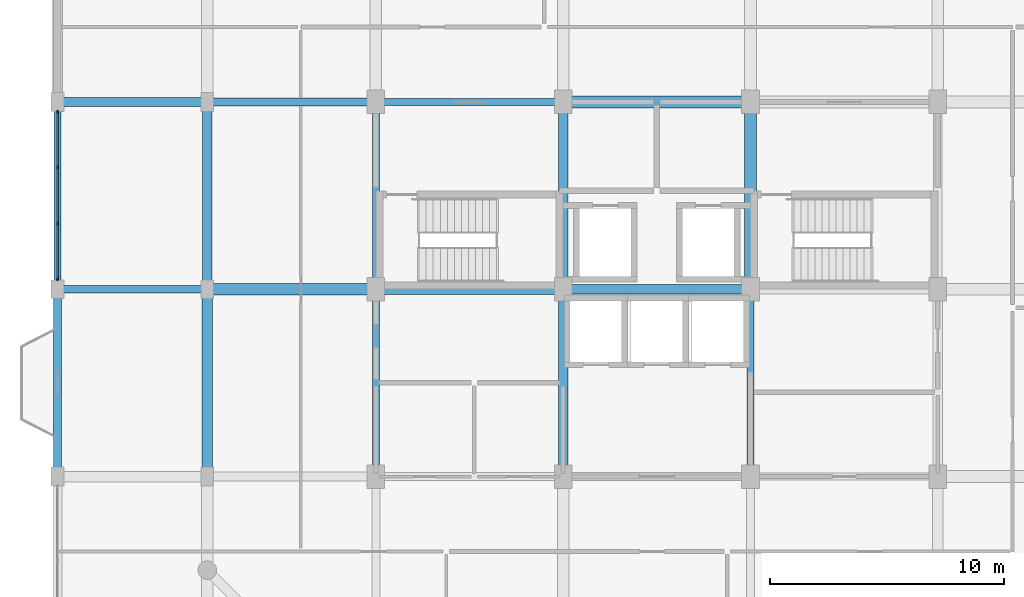
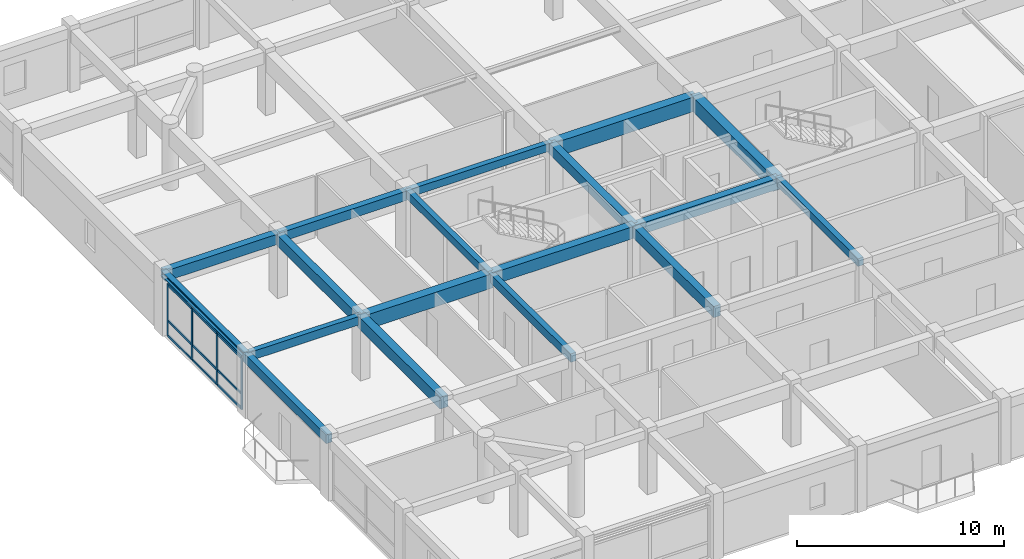
# One storey, part 3 of 15: 18 beams, 13 members, 1 element without a shape of its own.
"""IFC4 building model written with IfcOpenShell, lengths in metres."""

from ifc_helpers import new_model, si_unit, direction, frame, origin, origin_2d, place, context, subcontext, project, spatial, rectangle, i_section, extrude, material, material_profile, profile_set, type_object, element, aggregate, save


model = new_model("IFC4")

# Units and contexts
model_context = context("Model", 3, precision=1e-05, world=origin(), true_north=direction((0.0, 1.0)))
body_context = subcontext(model_context, "Body", "Model", "MODEL_VIEW")
ifc_project = project(units=[si_unit("LENGTHUNIT", "METRE"), si_unit("AREAUNIT", "SQUARE_METRE"), si_unit("VOLUMEUNIT", "CUBIC_METRE"), si_unit("PLANEANGLEUNIT", "RADIAN"), si_unit("MASSUNIT", "GRAM", prefix="KILO")], contexts=[model_context])

# Site, building, storey
site_placement = place(None, origin())
site = spatial("IfcSite", under=ifc_project, at=site_placement, CompositionType="ELEMENT")
building_placement = place(site_placement, origin())
building = spatial("IfcBuilding", under=site, at=building_placement, Name="Vellmiral Cinema and Media Centre", CompositionType="ELEMENT")
storey_placement = place(building_placement, frame((0.0, 0.0, 31.699951171875)))
storey = spatial("IfcBuildingStorey", under=building, at=storey_placement, Name="L07", CompositionType="ELEMENT", Elevation=31.699951171875)

# Beams
ifc_material_1 = material(Name="Concrete C40/50", Category="concrete")
ifc_material_profile_1 = material_profile(ifc_material_1, rectangle(XDim=0.300048828125, YDim=0.449951171875, at=origin_2d()), Name="RC 300x450")
ifc_profile_set_1 = profile_set([ifc_material_profile_1], Name="Concrete C40/50")
beam_type_1 = type_object("IfcBeamType", Name="BM-RC-300x450", PredefinedType="BEAM", material=ifc_profile_set_1)
for number, where, z_axis, x_axis, name in (
    (1, (124.0, 95.199951171875, 3.41015625), (1.0, 0.0, 0.0), (0.0, 1.0, 0.0), "Grid Beam L07-X031"),
    (2, (124.0, 87.199951171875, 3.41015625), (0.0, 1.0, 0.0), (-1.0, 0.0, 0.0), "Grid Beam L07-Y064"),
    (3, (140.0, 79.199951171875, 3.41015625), (0.0, 1.0, 0.0), (-1.0, 0.0, 0.0), "Grid Beam L07-Y075"),
):
    element("IfcBeam", number, at=place(storey_placement, frame(where, z_axis=z_axis, x_axis=x_axis)), inside=storey, type_object=beam_type_1, Name=name, PredefinedType="BEAM", context=body_context, shape_type="SweptSolid", body=[
        extrude(rectangle(XDim=0.300048828125, YDim=0.449951171875, at=origin_2d()), origin(), (0.0, 0.0, 1.0), 8.0),
    ])
ifc_material_2 = material(Name="Concrete C40/50", Category="concrete")
ifc_material_profile_2 = material_profile(ifc_material_2, rectangle(XDim=0.300048828125, YDim=0.5, at=origin_2d()), Name="RC 300x500")
ifc_profile_set_2 = profile_set([ifc_material_profile_2], Name="Concrete C40/50")
beam_type_2 = type_object("IfcBeamType", Name="BM-RC-300x500", PredefinedType="BEAM", material=ifc_profile_set_2)
beam_1_placement = place(storey_placement, frame((110.39990234375, 87.199951171875, 3.385009765625), z_axis=(1.0, 0.0, 0.0), x_axis=(0.0, 1.0, 0.0)))
element("IfcBeam", 4, at=beam_1_placement, inside=storey, type_object=beam_type_2, Name="Grid Beam L07-X022", PredefinedType="BEAM", context=body_context, shape_type="SweptSolid", body=[
    extrude(rectangle(XDim=0.300048828125, YDim=0.5, at=origin_2d()), origin(), (0.0, 0.0, 1.0), 6.400146484375),
])
beam_2_placement = place(storey_placement, frame((124.0, 79.199951171875, 3.385009765625), z_axis=(0.0, 1.0, 0.0), x_axis=(-1.0, 0.0, 0.0)))
element("IfcBeam", 5, at=beam_2_placement, inside=storey, type_object=beam_type_2, Name="Grid Beam L07-Y063", PredefinedType="BEAM", context=body_context, shape_type="SweptSolid", body=[
    extrude(rectangle(XDim=0.300048828125, YDim=0.5, at=origin_2d()), origin(), (0.0, 0.0, 1.0), 8.0),
])
ifc_material_3 = material(Name="Concrete C40/50", Category="concrete")
ifc_material_profile_3 = material_profile(ifc_material_3, rectangle(XDim=0.35009765625, YDim=0.550048828125, at=origin_2d()), Name="RC 350x550")
ifc_profile_set_3 = profile_set([ifc_material_profile_3], Name="Concrete C40/50")
beam_type_3 = type_object("IfcBeamType", Name="BM-RC-350x550", PredefinedType="BEAM", material=ifc_profile_set_3)
beam_3_placement = place(storey_placement, frame((116.800048828125, 95.199951171875, 3.360107421875), z_axis=(1.0, 0.0, 0.0), x_axis=(0.0, 1.0, 0.0)))
element("IfcBeam", 6, at=beam_3_placement, inside=storey, type_object=beam_type_3, Name="Grid Beam L07-X030", PredefinedType="BEAM", context=body_context, shape_type="SweptSolid", body=[
    extrude(rectangle(XDim=0.35009765625, YDim=0.550048828125, at=origin_2d()), origin(), (0.0, 0.0, 1.0), 7.199951171875),
])
ifc_material_4 = material(Name="Concrete C40/50", Category="concrete")
ifc_material_profile_4 = material_profile(ifc_material_4, rectangle(XDim=0.39990234375, YDim=0.60009765625, at=origin_2d()), Name="RC 400x600")
ifc_profile_set_4 = profile_set([ifc_material_profile_4], Name="Concrete C40/50")
beam_type_4 = type_object("IfcBeamType", Name="BM-RC-400x600", PredefinedType="BEAM", material=ifc_profile_set_4)
beam_4_placement = place(storey_placement, frame((110.39990234375, 95.199951171875, 3.3349609375), z_axis=(1.0, 0.0, 0.0), x_axis=(0.0, 1.0, 0.0)))
element("IfcBeam", 7, at=beam_4_placement, inside=storey, type_object=beam_type_4, Name="Grid Beam L07-X029", PredefinedType="BEAM", context=body_context, shape_type="SweptSolid", body=[
    extrude(rectangle(XDim=0.39990234375, YDim=0.60009765625, at=origin_2d()), origin(), (0.0, 0.0, 1.0), 6.400146484375),
])
beam_5_placement = place(storey_placement, frame((132.0, 87.199951171875, 3.3349609375), z_axis=(0.0, 1.0, 0.0), x_axis=(-1.0, 0.0, 0.0)))
element("IfcBeam", 8, at=beam_5_placement, inside=storey, type_object=beam_type_4, Name="Grid Beam L07-Y070", PredefinedType="BEAM", context=body_context, shape_type="SweptSolid", body=[
    extrude(rectangle(XDim=0.39990234375, YDim=0.60009765625, at=origin_2d()), origin(), (0.0, 0.0, 1.0), 8.0),
])
ifc_material_5 = material(Name="Concrete C40/50", Category="concrete")
ifc_material_profile_5 = material_profile(ifc_material_5, rectangle(XDim=0.39990234375, YDim=0.64990234375, at=origin_2d()), Name="RC 400x650")
ifc_profile_set_5 = profile_set([ifc_material_profile_5], Name="Concrete C40/50")
beam_type_5 = type_object("IfcBeamType", Name="BM-RC-400x650", PredefinedType="BEAM", material=ifc_profile_set_5)
for number, where, z_axis, x_axis, name in (
    (9, (132.0, 87.199951171875, 3.31005859375), (1.0, 0.0, 0.0), (0.0, 1.0, 0.0), "Grid Beam L07-X025"),
    (10, (116.800048828125, 87.199951171875, 3.31005859375), (0.0, 1.0, 0.0), (-1.0, 0.0, 0.0), "Grid Beam L07-Y058"),
    (11, (132.0, 79.199951171875, 3.31005859375), (0.0, 1.0, 0.0), (-1.0, 0.0, 0.0), "Grid Beam L07-Y069"),
):
    element("IfcBeam", number, at=place(storey_placement, frame(where, z_axis=z_axis, x_axis=x_axis)), inside=storey, type_object=beam_type_5, Name=name, PredefinedType="BEAM", context=body_context, shape_type="SweptSolid", body=[
        extrude(rectangle(XDim=0.39990234375, YDim=0.64990234375, at=origin_2d()), origin(), (0.0, 0.0, 1.0), 8.0),
    ])
ifc_material_6 = material(Name="Concrete C40/50", Category="concrete")
ifc_material_profile_6 = material_profile(ifc_material_6, rectangle(XDim=0.449951171875, YDim=0.699951171875, at=origin_2d()), Name="RC 450x700")
ifc_profile_set_6 = profile_set([ifc_material_profile_6], Name="Concrete C40/50")
beam_type_6 = type_object("IfcBeamType", Name="BM-RC-450x700", PredefinedType="BEAM", material=ifc_profile_set_6)
for number, where, z_axis, x_axis, name in (
    (12, (124.0, 87.199951171875, 3.28515625), (1.0, 0.0, 0.0), (0.0, 1.0, 0.0), "Grid Beam L07-X024"),
    (13, (116.800048828125, 79.199951171875, 3.28515625), (0.0, 1.0, 0.0), (-1.0, 0.0, 0.0), "Grid Beam L07-Y057"),
):
    element("IfcBeam", number, at=place(storey_placement, frame(where, z_axis=z_axis, x_axis=x_axis)), inside=storey, type_object=beam_type_6, Name=name, PredefinedType="BEAM", context=body_context, shape_type="SweptSolid", body=[
        extrude(rectangle(XDim=0.449951171875, YDim=0.699951171875, at=origin_2d()), origin(), (0.0, 0.0, 1.0), 8.0),
    ])
ifc_material_7 = material(Name="Concrete C40/50", Category="concrete")
ifc_material_profile_7 = material_profile(ifc_material_7, rectangle(XDim=0.5, YDim=0.85009765625, at=origin_2d()), Name="RC 500x850")
ifc_profile_set_7 = profile_set([ifc_material_profile_7], Name="Concrete C40/50")
beam_type_7 = type_object("IfcBeamType", Name="BM-RC-500x850", PredefinedType="BEAM", material=ifc_profile_set_7)
beam_6_placement = place(storey_placement, frame((116.800048828125, 87.199951171875, 3.2099609375), z_axis=(1.0, 0.0, 0.0), x_axis=(0.0, 1.0, 0.0)))
element("IfcBeam", 14, at=beam_6_placement, inside=storey, type_object=beam_type_7, Name="Grid Beam L07-X023", PredefinedType="BEAM", context=body_context, shape_type="SweptSolid", body=[
    extrude(rectangle(XDim=0.5, YDim=0.85009765625, at=origin_2d()), origin(), (0.0, 0.0, 1.0), 7.199951171875),
])
for number, where, z_axis, x_axis, name in (
    (15, (132.0, 95.199951171875, 3.2099609375), (1.0, 0.0, 0.0), (0.0, 1.0, 0.0), "Grid Beam L07-X032"),
    (16, (140.0, 87.199951171875, 3.2099609375), (0.0, 1.0, 0.0), (-1.0, 0.0, 0.0), "Grid Beam L07-Y076"),
):
    element("IfcBeam", number, at=place(storey_placement, frame(where, z_axis=z_axis, x_axis=x_axis)), inside=storey, type_object=beam_type_7, Name=name, PredefinedType="BEAM", context=body_context, shape_type="SweptSolid", body=[
        extrude(rectangle(XDim=0.5, YDim=0.85009765625, at=origin_2d()), origin(), (0.0, 0.0, 1.0), 8.0),
    ])

# Curtain wall, members
ifc_material_8 = material(Name="Thermally Broken Aluminium and Triple Glazing", Category="aluminium")
curtain_wall_type = type_object("IfcCurtainWallType", Name="CW-TOWER-LOW-N", PredefinedType="USERDEFINED", material=ifc_material_8)
curtain_wall_placement = place(storey_placement, origin())
curtain_wall = element("IfcCurtainWall", 17, at=curtain_wall_placement, inside=storey, type_object=curtain_wall_type, Name="Curtain Wall L07-B026", ObjectType="UNITISED CURTAIN WALL", PredefinedType="USERDEFINED")
ifc_material_9 = material(Name="Thermally Broken Anodised Aluminium", Category="aluminium")
ifc_material_profile_8 = material_profile(ifc_material_9, rectangle(XDim=0.06494140625, YDim=0.159912109375, at=origin_2d()), Name="MULL 65x160")
ifc_profile_set_8 = profile_set([ifc_material_profile_8], Name="Thermally Broken Anodised Aluminium")
member_type_1 = type_object("IfcMemberType", Name="CWM-65x160", PredefinedType="MULLION", material=ifc_profile_set_8)
member_1_placement = place(storey_placement, frame((110.39990234375, 94.767578125, 0.0), z_axis=(0.0, 0.0, 1.0), x_axis=(1.0, 0.0, 0.0)))
member_1 = element("IfcMember", 18, at=member_1_placement, type_object=member_type_1, Name="CW-05 mullion 1", PredefinedType="MULLION", context=body_context, shape_type="SweptSolid", body=[
    extrude(rectangle(XDim=0.06494140625, YDim=0.159912109375, at=origin_2d()), origin(), (0.0, 0.0, 1.0), 3.0400390625),
])
member_2_placement = place(storey_placement, frame((110.39990234375, 92.39990234375, 0.0), z_axis=(0.0, 0.0, 1.0), x_axis=(1.0, 0.0, 0.0)))
member_2 = element("IfcMember", 19, at=member_2_placement, type_object=member_type_1, Name="CW-05 mullion 2", PredefinedType="MULLION", context=body_context, shape_type="SweptSolid", body=[
    extrude(rectangle(XDim=0.06494140625, YDim=0.159912109375, at=origin_2d()), origin(), (0.0, 0.0, 1.0), 3.0400390625),
])
member_3_placement = place(storey_placement, frame((110.39990234375, 90.0, 0.0), z_axis=(0.0, 0.0, 1.0), x_axis=(1.0, 0.0, 0.0)))
member_3 = element("IfcMember", 20, at=member_3_placement, type_object=member_type_1, Name="CW-05 mullion 3", PredefinedType="MULLION", context=body_context, shape_type="SweptSolid", body=[
    extrude(rectangle(XDim=0.06494140625, YDim=0.159912109375, at=origin_2d()), origin(), (0.0, 0.0, 1.0), 3.0400390625),
])
member_4_placement = place(storey_placement, frame((110.39990234375, 87.632568359375, 0.0), z_axis=(0.0, 0.0, 1.0), x_axis=(1.0, 0.0, 0.0)))
member_4 = element("IfcMember", 21, at=member_4_placement, type_object=member_type_1, Name="CW-05 mullion 4", PredefinedType="MULLION", context=body_context, shape_type="SweptSolid", body=[
    extrude(rectangle(XDim=0.06494140625, YDim=0.159912109375, at=origin_2d()), origin(), (0.0, 0.0, 1.0), 3.0400390625),
])
ifc_material_10 = material(Name="Thermally Broken Anodised Aluminium", Category="aluminium")
ifc_material_profile_9 = material_profile(ifc_material_10, rectangle(XDim=0.06494140625, YDim=0.135009765625, at=origin_2d()), Name="MULL 65x135")
ifc_profile_set_9 = profile_set([ifc_material_profile_9], Name="Thermally Broken Anodised Aluminium")
member_type_2 = type_object("IfcMemberType", Name="CWT-65x135", PredefinedType="USERDEFINED", material=ifc_profile_set_9)
member_5_placement = place(storey_placement, frame((110.39990234375, 94.735107421875, 0.032470703125), z_axis=(0.0, -1.0, 0.0), x_axis=(1.0, 0.0, 0.0)))
member_5 = element("IfcMember", 22, at=member_5_placement, type_object=member_type_2, Name="CW-05 transom 1.1", ObjectType="TRANSOM", PredefinedType="USERDEFINED", context=body_context, shape_type="SweptSolid", body=[
    extrude(rectangle(XDim=0.06494140625, YDim=0.135009765625, at=origin_2d()), origin(), (0.0, 0.0, 1.0), 2.302490234375),
])
member_6_placement = place(storey_placement, frame((110.39990234375, 94.735107421875, 0.900146484375), z_axis=(0.0, -1.0, 0.0), x_axis=(1.0, 0.0, 0.0)))
member_6 = element("IfcMember", 23, at=member_6_placement, type_object=member_type_2, Name="CW-05 transom 1.2", ObjectType="TRANSOM", PredefinedType="USERDEFINED", context=body_context, shape_type="SweptSolid", body=[
    extrude(rectangle(XDim=0.06494140625, YDim=0.135009765625, at=origin_2d()), origin(), (0.0, 0.0, 1.0), 2.302490234375),
])
member_7_placement = place(storey_placement, frame((110.39990234375, 94.735107421875, 3.007568359375), z_axis=(0.0, -1.0, 0.0), x_axis=(1.0, 0.0, 0.0)))
member_7 = element("IfcMember", 24, at=member_7_placement, type_object=member_type_2, Name="CW-05 transom 1.3", ObjectType="TRANSOM", PredefinedType="USERDEFINED", context=body_context, shape_type="SweptSolid", body=[
    extrude(rectangle(XDim=0.06494140625, YDim=0.135009765625, at=origin_2d()), origin(), (0.0, 0.0, 1.0), 2.302490234375),
])
member_8_placement = place(storey_placement, frame((110.39990234375, 92.367431640625, 0.032470703125), z_axis=(0.0, -1.0, 0.0), x_axis=(1.0, 0.0, 0.0)))
member_8 = element("IfcMember", 25, at=member_8_placement, type_object=member_type_2, Name="CW-05 transom 2.1", ObjectType="TRANSOM", PredefinedType="USERDEFINED", context=body_context, shape_type="SweptSolid", body=[
    extrude(rectangle(XDim=0.06494140625, YDim=0.135009765625, at=origin_2d()), origin(), (0.0, 0.0, 1.0), 2.3349609375),
])
member_9_placement = place(storey_placement, frame((110.39990234375, 92.367431640625, 0.900146484375), z_axis=(0.0, -1.0, 0.0), x_axis=(1.0, 0.0, 0.0)))
member_9 = element("IfcMember", 26, at=member_9_placement, type_object=member_type_2, Name="CW-05 transom 2.2", ObjectType="TRANSOM", PredefinedType="USERDEFINED", context=body_context, shape_type="SweptSolid", body=[
    extrude(rectangle(XDim=0.06494140625, YDim=0.135009765625, at=origin_2d()), origin(), (0.0, 0.0, 1.0), 2.3349609375),
])
member_10_placement = place(storey_placement, frame((110.39990234375, 92.367431640625, 3.007568359375), z_axis=(0.0, -1.0, 0.0), x_axis=(1.0, 0.0, 0.0)))
member_10 = element("IfcMember", 27, at=member_10_placement, type_object=member_type_2, Name="CW-05 transom 2.3", ObjectType="TRANSOM", PredefinedType="USERDEFINED", context=body_context, shape_type="SweptSolid", body=[
    extrude(rectangle(XDim=0.06494140625, YDim=0.135009765625, at=origin_2d()), origin(), (0.0, 0.0, 1.0), 2.3349609375),
])
member_11_placement = place(storey_placement, frame((110.39990234375, 89.967529296875, 0.032470703125), z_axis=(0.0, -1.0, 0.0), x_axis=(1.0, 0.0, 0.0)))
member_11 = element("IfcMember", 28, at=member_11_placement, type_object=member_type_2, Name="CW-05 transom 3.1", ObjectType="TRANSOM", PredefinedType="USERDEFINED", context=body_context, shape_type="SweptSolid", body=[
    extrude(rectangle(XDim=0.06494140625, YDim=0.135009765625, at=origin_2d()), origin(), (0.0, 0.0, 1.0), 2.302490234375),
])
member_12_placement = place(storey_placement, frame((110.39990234375, 89.967529296875, 0.900146484375), z_axis=(0.0, -1.0, 0.0), x_axis=(1.0, 0.0, 0.0)))
member_12 = element("IfcMember", 29, at=member_12_placement, type_object=member_type_2, Name="CW-05 transom 3.2", ObjectType="TRANSOM", PredefinedType="USERDEFINED", context=body_context, shape_type="SweptSolid", body=[
    extrude(rectangle(XDim=0.06494140625, YDim=0.135009765625, at=origin_2d()), origin(), (0.0, 0.0, 1.0), 2.302490234375),
])
member_13_placement = place(storey_placement, frame((110.39990234375, 89.967529296875, 3.007568359375), z_axis=(0.0, -1.0, 0.0), x_axis=(1.0, 0.0, 0.0)))
member_13 = element("IfcMember", 30, at=member_13_placement, type_object=member_type_2, Name="CW-05 transom 3.3", ObjectType="TRANSOM", PredefinedType="USERDEFINED", context=body_context, shape_type="SweptSolid", body=[
    extrude(rectangle(XDim=0.06494140625, YDim=0.135009765625, at=origin_2d()), origin(), (0.0, 0.0, 1.0), 2.302490234375),
])
aggregate(curtain_wall, [member_1, member_2, member_3, member_4, member_5, member_6, member_7, member_8, member_9, member_10, member_11, member_12, member_13])

# Beams
ifc_material_11 = material(Name="Steel S355", Category="steel")
ifc_material_profile_10 = material_profile(ifc_material_11, i_section(OverallWidth=0.300048828125, OverallDepth=0.300048828125, WebThickness=0.010986328125, FlangeThickness=0.01904296875, FilletRadius=0.027099609375, at=origin_2d()), Name="HEB 300")
ifc_profile_set_10 = profile_set([ifc_material_profile_10], Name="Steel S355")
beam_type_8 = type_object("IfcBeamType", Name="SBM-HEB300", PredefinedType="SPANDREL", material=ifc_profile_set_10)
beam_7_placement = place(storey_placement, frame((110.39990234375, 87.199951171875, 3.485107421875), z_axis=(0.0, 1.0, 0.0), x_axis=(-1.0, 0.0, 0.0)))
element("IfcBeam", 31, at=beam_7_placement, inside=storey, type_object=beam_type_8, Name="Grid Beam L07-Y052", PredefinedType="SPANDREL", context=body_context, shape_type="SweptSolid", body=[
    extrude(i_section(OverallWidth=0.300048828125, OverallDepth=0.300048828125, WebThickness=0.010986328125, FlangeThickness=0.01904296875, FilletRadius=0.027099609375, at=origin_2d()), origin(), (0.0, 0.0, 1.0), 8.0),
])
ifc_material_12 = material(Name="Vosges Red Sandstone Masonry", Category="masonry")
ifc_material_profile_11 = material_profile(ifc_material_12, rectangle(XDim=0.340087890625, YDim=0.52001953125, at=origin_2d()), Name="SAND 340x520")
ifc_profile_set_11 = profile_set([ifc_material_profile_11], Name="Vosges Red Sandstone Masonry")
beam_type_9 = type_object("IfcBeamType", Name="SPD-SAND-340x520", PredefinedType="SPANDREL", material=ifc_profile_set_11)
beam_8_placement = place(storey_placement, frame((110.39990234375, 79.199951171875, 3.375), z_axis=(0.0, 1.0, 0.0), x_axis=(-1.0, 0.0, 0.0)))
element("IfcBeam", 32, at=beam_8_placement, inside=storey, type_object=beam_type_9, Name="Grid Beam L07-Y051", PredefinedType="SPANDREL", context=body_context, shape_type="SweptSolid", body=[
    extrude(rectangle(XDim=0.340087890625, YDim=0.52001953125, at=origin_2d()), origin(), (0.0, 0.0, 1.0), 8.0),
])

save(model, "model.ifc")
